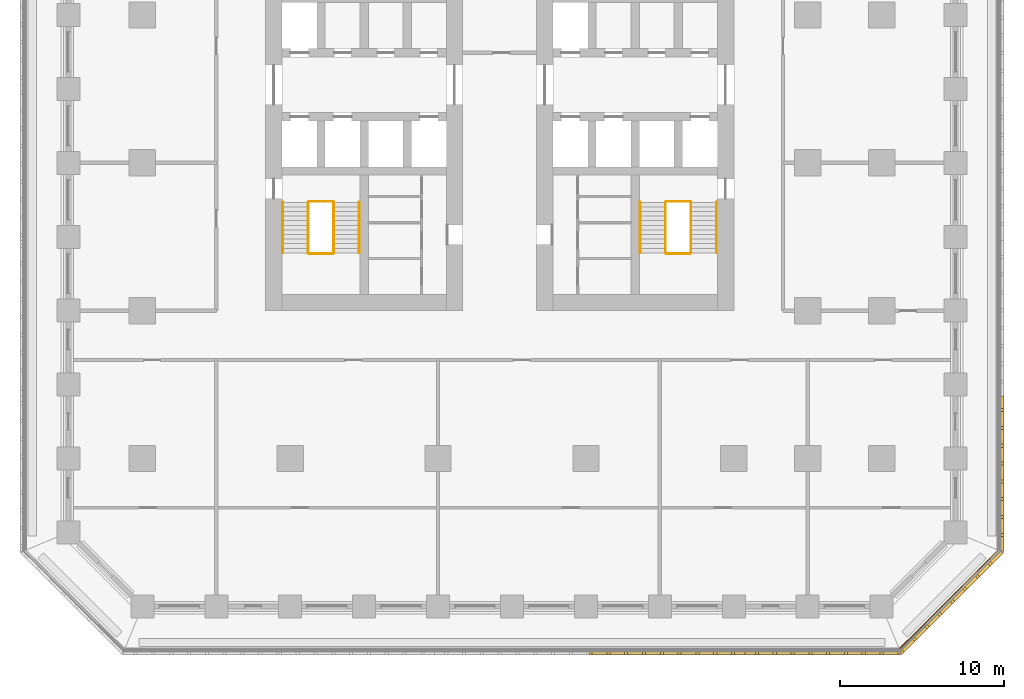
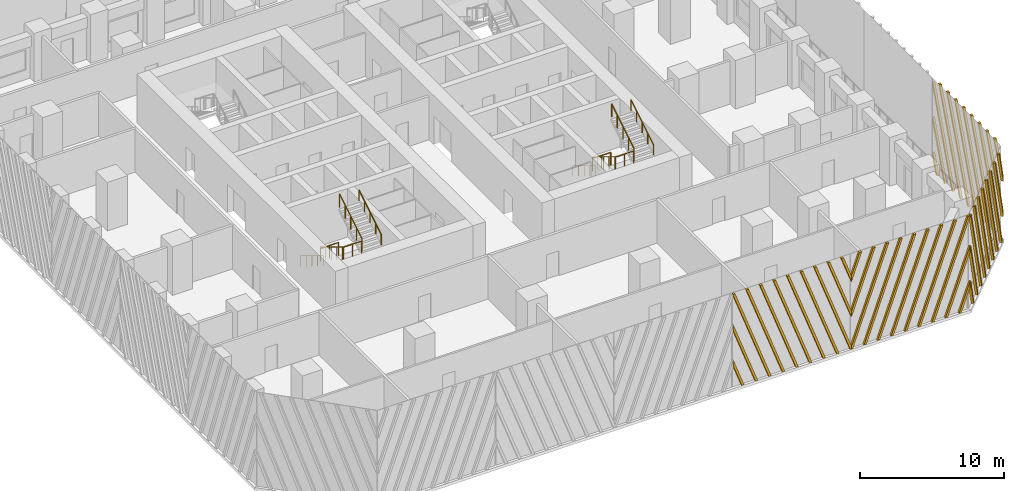
# One storey, part 10 of 14: 13 railings, 4 shading devices.
"""IFC4 building model written with IfcOpenShell, lengths in metres."""

from ifc_helpers import new_model, si_unit, direction, frame, origin, origin_2d, place, context, subcontext, project, spatial, polyline, circle, outline, extrude, source, transform, mapped, material, type_object, element, save


model = new_model("IFC4")

# Units and contexts
model_context = context("Model", 3, precision=1e-05, world=origin(), true_north=direction((0.0, 1.0)))
body_context = subcontext(model_context, "Body", "Model", "MODEL_VIEW")
ifc_project = project(units=[si_unit("LENGTHUNIT", "METRE"), si_unit("AREAUNIT", "SQUARE_METRE"), si_unit("VOLUMEUNIT", "CUBIC_METRE"), si_unit("PLANEANGLEUNIT", "RADIAN"), si_unit("MASSUNIT", "GRAM", prefix="KILO")], contexts=[model_context])

# Site, building, storey
site_placement = place(None, origin())
site = spatial("IfcSite", under=ifc_project, at=site_placement, CompositionType="ELEMENT")
building_placement = place(site_placement, origin())
building = spatial("IfcBuilding", under=site, at=building_placement, Name="Corbel Stack Research Tower", CompositionType="ELEMENT")
storey_placement = place(building_placement, frame((0.0, 0.0, 50.10009765625)))
storey = spatial("IfcBuildingStorey", under=building, at=storey_placement, Name="L11", CompositionType="ELEMENT", Elevation=50.10009765625)

# Railings
ifc_material_1 = material(Name="Steel S355", Category="steel")
railing_type_1 = type_object("IfcRailingType", Name="Stair guard 1100", PredefinedType="GUARDRAIL", material=ifc_material_1)
railing_1_placement = place(storey_placement, frame((-7.89990234375, -2.39990234375, 0.170654296875)))
element("IfcRailing", 1, at=railing_1_placement, inside=storey, type_object=railing_type_1, Name="L11 ST-W1 stair guard 1", PredefinedType="GUARDRAIL", context=body_context, shape_type="SweptSolid", body=[
    extrude(circle(Radius=0.02392578125, at=origin_2d()), frame((0.0, 0.0, 1.076171875), z_axis=(0.0, -0.853666305674, 0.52082035152), x_axis=(1.0, 0.0, 0.0)), (0.0, 0.0, 1.0), 3.608154296875),
    extrude(circle(Radius=0.02099609375, at=origin_2d()), origin(), (0.0, 0.0, 1.0), 1.052001953125),
    extrude(circle(Radius=0.02099609375, at=origin_2d()), frame((0.0, -0.77001953125, 0.4697265625)), (0.0, 0.0, 1.0), 1.052001953125),
    extrude(circle(Radius=0.02099609375, at=origin_2d()), frame((0.0, -1.5400390625, 0.939453125)), (0.0, 0.0, 1.0), 1.052001953125),
    extrude(circle(Radius=0.02099609375, at=origin_2d()), frame((0.0, -2.31005859375, 1.409423828125)), (0.0, 0.0, 1.0), 1.052001953125),
    extrude(circle(Radius=0.02099609375, at=origin_2d()), frame((0.0, -3.080078125, 1.879150390625)), (0.0, 0.0, 1.0), 1.052001953125),
])
railing_2_placement = place(storey_placement, frame((-7.85009765625, -5.530029296875, 2.0498046875)))
element("IfcRailing", 2, at=railing_2_placement, inside=storey, type_object=railing_type_1, Name="L11 ST-W1 stair guard 2", PredefinedType="GUARDRAIL", context=body_context, shape_type="SweptSolid", body=[
    extrude(circle(Radius=0.02392578125, at=origin_2d()), frame((0.0, 0.0, 1.076171875), z_axis=(1.0, 0.0, 0.0), x_axis=(0.0, 1.0, 0.0)), (0.0, 0.0, 1.0), 1.4501953125),
    extrude(circle(Radius=0.02099609375, at=origin_2d()), origin(), (0.0, 0.0, 1.0), 1.052001953125),
    extrude(circle(Radius=0.02099609375, at=origin_2d()), frame((0.72509765625, 0.0, 0.0)), (0.0, 0.0, 1.0), 1.052001953125),
    extrude(circle(Radius=0.02099609375, at=origin_2d()), frame((1.4501953125, 0.0, 0.0)), (0.0, 0.0, 1.0), 1.052001953125),
])
railing_3_placement = place(storey_placement, frame((-6.35009765625, -5.47998046875, 2.220703125)))
element("IfcRailing", 3, at=railing_3_placement, inside=storey, type_object=railing_type_1, Name="L11 ST-W1 stair guard 3", PredefinedType="GUARDRAIL", context=body_context, shape_type="SweptSolid", body=[
    extrude(circle(Radius=0.02392578125, at=origin_2d()), frame((0.0, 0.0, 1.076171875), z_axis=(0.0, 0.853666305674, 0.52082035152), x_axis=(-1.0, 0.0, 0.0)), (0.0, 0.0, 1.0), 3.608154296875),
    extrude(circle(Radius=0.02099609375, at=origin_2d()), origin(), (0.0, 0.0, 1.0), 1.052001953125),
    extrude(circle(Radius=0.02099609375, at=origin_2d()), frame((0.0, 0.77001953125, 0.4697265625)), (0.0, 0.0, 1.0), 1.052001953125),
    extrude(circle(Radius=0.02099609375, at=origin_2d()), frame((0.0, 1.5400390625, 0.939453125)), (0.0, 0.0, 1.0), 1.052001953125),
    extrude(circle(Radius=0.02099609375, at=origin_2d()), frame((0.0, 2.31005859375, 1.409423828125)), (0.0, 0.0, 1.0), 1.052001953125),
    extrude(circle(Radius=0.02099609375, at=origin_2d()), frame((0.0, 3.080078125, 1.879150390625)), (0.0, 0.0, 1.0), 1.052001953125),
])
railing_4_placement = place(storey_placement, frame((-7.85009765625, -2.35009765625, 0.0)))
element("IfcRailing", 4, at=railing_4_placement, inside=storey, type_object=railing_type_1, Name="L11 ST-W1 stair guard 4", PredefinedType="GUARDRAIL", context=body_context, shape_type="SweptSolid", body=[
    extrude(circle(Radius=0.02392578125, at=origin_2d()), frame((0.0, 0.0, 1.076171875), z_axis=(1.0, 0.0, 0.0), x_axis=(0.0, 1.0, 0.0)), (0.0, 0.0, 1.0), 1.4501953125),
    extrude(circle(Radius=0.02099609375, at=origin_2d()), origin(), (0.0, 0.0, 1.0), 1.052001953125),
    extrude(circle(Radius=0.02099609375, at=origin_2d()), frame((0.72509765625, 0.0, 0.0)), (0.0, 0.0, 1.0), 1.052001953125),
    extrude(circle(Radius=0.02099609375, at=origin_2d()), frame((1.4501953125, 0.0, 0.0)), (0.0, 0.0, 1.0), 1.052001953125),
])
railing_5_placement = place(storey_placement, frame((13.85009765625, -2.39990234375, 0.170654296875)))
element("IfcRailing", 5, at=railing_5_placement, inside=storey, type_object=railing_type_1, Name="L11 ST-E1 stair guard 1", PredefinedType="GUARDRAIL", context=body_context, shape_type="SweptSolid", body=[
    extrude(circle(Radius=0.02392578125, at=origin_2d()), frame((0.0, 0.0, 1.076171875), z_axis=(0.0, -0.853666305674, 0.52082035152), x_axis=(1.0, 0.0, 0.0)), (0.0, 0.0, 1.0), 3.608154296875),
    extrude(circle(Radius=0.02099609375, at=origin_2d()), origin(), (0.0, 0.0, 1.0), 1.052001953125),
    extrude(circle(Radius=0.02099609375, at=origin_2d()), frame((0.0, -0.77001953125, 0.4697265625)), (0.0, 0.0, 1.0), 1.052001953125),
    extrude(circle(Radius=0.02099609375, at=origin_2d()), frame((0.0, -1.5400390625, 0.939453125)), (0.0, 0.0, 1.0), 1.052001953125),
    extrude(circle(Radius=0.02099609375, at=origin_2d()), frame((0.0, -2.31005859375, 1.409423828125)), (0.0, 0.0, 1.0), 1.052001953125),
    extrude(circle(Radius=0.02099609375, at=origin_2d()), frame((0.0, -3.080078125, 1.879150390625)), (0.0, 0.0, 1.0), 1.052001953125),
])
railing_6_placement = place(storey_placement, frame((13.89990234375, -5.530029296875, 2.0498046875)))
element("IfcRailing", 6, at=railing_6_placement, inside=storey, type_object=railing_type_1, Name="L11 ST-E1 stair guard 2", PredefinedType="GUARDRAIL", context=body_context, shape_type="SweptSolid", body=[
    extrude(circle(Radius=0.02392578125, at=origin_2d()), frame((0.0, 0.0, 1.076171875), z_axis=(1.0, 0.0, 0.0), x_axis=(0.0, 1.0, 0.0)), (0.0, 0.0, 1.0), 1.4501953125),
    extrude(circle(Radius=0.02099609375, at=origin_2d()), origin(), (0.0, 0.0, 1.0), 1.052001953125),
    extrude(circle(Radius=0.02099609375, at=origin_2d()), frame((0.72509765625, 0.0, 0.0)), (0.0, 0.0, 1.0), 1.052001953125),
    extrude(circle(Radius=0.02099609375, at=origin_2d()), frame((1.4501953125, 0.0, 0.0)), (0.0, 0.0, 1.0), 1.052001953125),
])
railing_7_placement = place(storey_placement, frame((15.39990234375, -5.47998046875, 2.220703125)))
element("IfcRailing", 7, at=railing_7_placement, inside=storey, type_object=railing_type_1, Name="L11 ST-E1 stair guard 3", PredefinedType="GUARDRAIL", context=body_context, shape_type="SweptSolid", body=[
    extrude(circle(Radius=0.02392578125, at=origin_2d()), frame((0.0, 0.0, 1.076171875), z_axis=(0.0, 0.853666305674, 0.52082035152), x_axis=(-1.0, 0.0, 0.0)), (0.0, 0.0, 1.0), 3.608154296875),
    extrude(circle(Radius=0.02099609375, at=origin_2d()), origin(), (0.0, 0.0, 1.0), 1.052001953125),
    extrude(circle(Radius=0.02099609375, at=origin_2d()), frame((0.0, 0.77001953125, 0.4697265625)), (0.0, 0.0, 1.0), 1.052001953125),
    extrude(circle(Radius=0.02099609375, at=origin_2d()), frame((0.0, 1.5400390625, 0.939453125)), (0.0, 0.0, 1.0), 1.052001953125),
    extrude(circle(Radius=0.02099609375, at=origin_2d()), frame((0.0, 2.31005859375, 1.409423828125)), (0.0, 0.0, 1.0), 1.052001953125),
    extrude(circle(Radius=0.02099609375, at=origin_2d()), frame((0.0, 3.080078125, 1.879150390625)), (0.0, 0.0, 1.0), 1.052001953125),
])
railing_8_placement = place(storey_placement, frame((13.89990234375, -2.35009765625, 0.0)))
element("IfcRailing", 8, at=railing_8_placement, inside=storey, type_object=railing_type_1, Name="L11 ST-E1 stair guard 4", PredefinedType="GUARDRAIL", context=body_context, shape_type="SweptSolid", body=[
    extrude(circle(Radius=0.02392578125, at=origin_2d()), frame((0.0, 0.0, 1.076171875), z_axis=(1.0, 0.0, 0.0), x_axis=(0.0, 1.0, 0.0)), (0.0, 0.0, 1.0), 1.4501953125),
    extrude(circle(Radius=0.02099609375, at=origin_2d()), origin(), (0.0, 0.0, 1.0), 1.052001953125),
    extrude(circle(Radius=0.02099609375, at=origin_2d()), frame((0.72509765625, 0.0, 0.0)), (0.0, 0.0, 1.0), 1.052001953125),
    extrude(circle(Radius=0.02099609375, at=origin_2d()), frame((1.4501953125, 0.0, 0.0)), (0.0, 0.0, 1.0), 1.052001953125),
])
ifc_material_2 = material(Name="Steel S355", Category="steel")
railing_type_2 = type_object("IfcRailingType", Name="Stair handrail 900", PredefinedType="HANDRAIL", material=ifc_material_2)
railing_9_placement = place(storey_placement, frame((-9.449951171875, -2.39990234375, 0.170654296875)))
element("IfcRailing", 9, at=railing_9_placement, inside=storey, type_object=railing_type_2, Name="L11 ST-W1 stair handrail 1", PredefinedType="HANDRAIL", context=body_context, shape_type="SweptSolid", body=[
    extrude(circle(Radius=0.02392578125, at=origin_2d()), frame((0.0, 0.0, 0.8759765625), z_axis=(0.0, -0.853666305674, 0.52082035152), x_axis=(1.0, 0.0, 0.0)), (0.0, 0.0, 1.0), 3.608154296875),
    extrude(circle(Radius=0.02099609375, at=origin_2d()), origin(), (0.0, 0.0, 1.0), 0.851806640625),
    extrude(circle(Radius=0.02099609375, at=origin_2d()), frame((0.0, -0.77001953125, 0.4697265625)), (0.0, 0.0, 1.0), 0.851806640625),
    extrude(circle(Radius=0.02099609375, at=origin_2d()), frame((0.0, -1.5400390625, 0.939453125)), (0.0, 0.0, 1.0), 0.851806640625),
    extrude(circle(Radius=0.02099609375, at=origin_2d()), frame((0.0, -2.31005859375, 1.409423828125)), (0.0, 0.0, 1.0), 0.851806640625),
    extrude(circle(Radius=0.02099609375, at=origin_2d()), frame((0.0, -3.080078125, 1.879150390625)), (0.0, 0.0, 1.0), 0.851806640625),
])
railing_10_placement = place(storey_placement, frame((-4.800048828125, -5.47998046875, 2.220703125)))
element("IfcRailing", 10, at=railing_10_placement, inside=storey, type_object=railing_type_2, Name="L11 ST-W1 stair handrail 2", PredefinedType="HANDRAIL", context=body_context, shape_type="SweptSolid", body=[
    extrude(circle(Radius=0.02392578125, at=origin_2d()), frame((0.0, 0.0, 0.8759765625), z_axis=(0.0, 0.853666305674, 0.52082035152), x_axis=(-1.0, 0.0, 0.0)), (0.0, 0.0, 1.0), 3.608154296875),
    extrude(circle(Radius=0.02099609375, at=origin_2d()), origin(), (0.0, 0.0, 1.0), 0.851806640625),
    extrude(circle(Radius=0.02099609375, at=origin_2d()), frame((0.0, 0.77001953125, 0.4697265625)), (0.0, 0.0, 1.0), 0.851806640625),
    extrude(circle(Radius=0.02099609375, at=origin_2d()), frame((0.0, 1.5400390625, 0.939453125)), (0.0, 0.0, 1.0), 0.851806640625),
    extrude(circle(Radius=0.02099609375, at=origin_2d()), frame((0.0, 2.31005859375, 1.409423828125)), (0.0, 0.0, 1.0), 0.851806640625),
    extrude(circle(Radius=0.02099609375, at=origin_2d()), frame((0.0, 3.080078125, 1.879150390625)), (0.0, 0.0, 1.0), 0.851806640625),
])
railing_11_placement = place(storey_placement, frame((12.300048828125, -2.39990234375, 0.170654296875)))
element("IfcRailing", 11, at=railing_11_placement, inside=storey, type_object=railing_type_2, Name="L11 ST-E1 stair handrail 1", PredefinedType="HANDRAIL", context=body_context, shape_type="SweptSolid", body=[
    extrude(circle(Radius=0.02392578125, at=origin_2d()), frame((0.0, 0.0, 0.8759765625), z_axis=(0.0, -0.853666305674, 0.52082035152), x_axis=(1.0, 0.0, 0.0)), (0.0, 0.0, 1.0), 3.608154296875),
    extrude(circle(Radius=0.02099609375, at=origin_2d()), origin(), (0.0, 0.0, 1.0), 0.851806640625),
    extrude(circle(Radius=0.02099609375, at=origin_2d()), frame((0.0, -0.77001953125, 0.4697265625)), (0.0, 0.0, 1.0), 0.851806640625),
    extrude(circle(Radius=0.02099609375, at=origin_2d()), frame((0.0, -1.5400390625, 0.939453125)), (0.0, 0.0, 1.0), 0.851806640625),
    extrude(circle(Radius=0.02099609375, at=origin_2d()), frame((0.0, -2.31005859375, 1.409423828125)), (0.0, 0.0, 1.0), 0.851806640625),
    extrude(circle(Radius=0.02099609375, at=origin_2d()), frame((0.0, -3.080078125, 1.879150390625)), (0.0, 0.0, 1.0), 0.851806640625),
])
railing_12_placement = place(storey_placement, frame((16.949951171875, -5.47998046875, 2.220703125)))
element("IfcRailing", 12, at=railing_12_placement, inside=storey, type_object=railing_type_2, Name="L11 ST-E1 stair handrail 2", PredefinedType="HANDRAIL", context=body_context, shape_type="SweptSolid", body=[
    extrude(circle(Radius=0.02392578125, at=origin_2d()), frame((0.0, 0.0, 0.8759765625), z_axis=(0.0, 0.853666305674, 0.52082035152), x_axis=(-1.0, 0.0, 0.0)), (0.0, 0.0, 1.0), 3.608154296875),
    extrude(circle(Radius=0.02099609375, at=origin_2d()), origin(), (0.0, 0.0, 1.0), 0.851806640625),
    extrude(circle(Radius=0.02099609375, at=origin_2d()), frame((0.0, 0.77001953125, 0.4697265625)), (0.0, 0.0, 1.0), 0.851806640625),
    extrude(circle(Radius=0.02099609375, at=origin_2d()), frame((0.0, 1.5400390625, 0.939453125)), (0.0, 0.0, 1.0), 0.851806640625),
    extrude(circle(Radius=0.02099609375, at=origin_2d()), frame((0.0, 2.31005859375, 1.409423828125)), (0.0, 0.0, 1.0), 0.851806640625),
    extrude(circle(Radius=0.02099609375, at=origin_2d()), frame((0.0, 3.080078125, 1.879150390625)), (0.0, 0.0, 1.0), 0.851806640625),
])
ifc_material_3 = material(Name="Powder-coated steel guard", Category="steel")
railing_type_3 = type_object("IfcRailingType", Name="Steel and glass guard 1100", PredefinedType="GUARDRAIL", material=ifc_material_3)
railing_13_placement = place(storey_placement, frame((28.127685546875, -29.54931640625, 0.0)))
element("IfcRailing", 13, at=railing_13_placement, inside=storey, type_object=railing_type_3, Name="Loggia guard L11 SE", PredefinedType="GUARDRAIL", context=body_context, shape_type="SweptSolid", body=[
    extrude(circle(Radius=0.02392578125, at=origin_2d()), frame((0.0, 0.0, 1.076171875), z_axis=(0.707106781187, 0.707106781187, 0.0), x_axis=(-0.707106781187, 0.707106781187, 0.0)), (0.0, 0.0, 1.0), 8.37451171875),
    extrude(circle(Radius=0.02099609375, at=origin_2d()), origin(), (0.0, 0.0, 1.0), 1.052001953125),
    extrude(circle(Radius=0.02099609375, at=origin_2d()), frame((0.845947265625, 0.845947265625, 0.0)), (0.0, 0.0, 1.0), 1.052001953125),
    extrude(circle(Radius=0.02099609375, at=origin_2d()), frame((1.69189453125, 1.69189453125, 0.0)), (0.0, 0.0, 1.0), 1.052001953125),
    extrude(circle(Radius=0.02099609375, at=origin_2d()), frame((2.537841796875, 2.537841796875, 0.0)), (0.0, 0.0, 1.0), 1.052001953125),
    extrude(circle(Radius=0.02099609375, at=origin_2d()), frame((3.3837890625, 3.3837890625, 0.0)), (0.0, 0.0, 1.0), 1.052001953125),
    extrude(circle(Radius=0.02099609375, at=origin_2d()), frame((4.229736328125, 4.229736328125, 0.0)), (0.0, 0.0, 1.0), 1.052001953125),
    extrude(circle(Radius=0.02099609375, at=origin_2d()), frame((5.07568359375, 5.07568359375, 0.0)), (0.0, 0.0, 1.0), 1.052001953125),
    extrude(circle(Radius=0.02099609375, at=origin_2d()), frame((5.921630859375, 5.921630859375, 0.0)), (0.0, 0.0, 1.0), 1.052001953125),
])

# Shading devices
ifc_material_4 = material(Name="Precast terracotta", Category="masonry")
shading_device_type = type_object("IfcShadingDeviceType", Name="Terracotta screen panel", PredefinedType="USERDEFINED", material=ifc_material_4)
shared_shape_1 = source(origin(), body_context, "Body", "SweptSolid", [
    extrude(outline(polyline([(0.819091796875, 7.949951171875), (0.629150390625, 7.949951171875), (0.0, 6.22119140625), (0.0, 5.69921875), (0.819091796875, 7.949951171875)])), frame((0.0, 0.0, 0.0), z_axis=(0.0, -1.0, 0.0), x_axis=(1.0, 0.0, 0.0)), (0.0, 0.0, 1.0), 0.179931640625),
    extrude(outline(polyline([(1.90380859375, 7.949951171875), (1.7138671875, 7.949951171875), (0.0, 3.2412109375), (0.0, 2.718994140625), (1.90380859375, 7.949951171875)])), frame((0.0, 0.0, 0.0), z_axis=(0.0, -1.0, 0.0), x_axis=(1.0, 0.0, 0.0)), (0.0, 0.0, 1.0), 0.179931640625),
    extrude(outline(polyline([(0.094970703125, 0.0), (2.988525390625, 7.949951171875), (2.798583984375, 7.949951171875), (0.0, 0.260986328125), (0.0, 0.0), (0.094970703125, 0.0)])), frame((0.0, 0.0, 0.0), z_axis=(0.0, -1.0, 0.0), x_axis=(1.0, 0.0, 0.0)), (0.0, 0.0, 1.0), 0.179931640625),
    extrude(outline(polyline([(1.1796875, 0.0), (4.0732421875, 7.949951171875), (3.88330078125, 7.949951171875), (0.98974609375, 0.0), (1.1796875, 0.0)])), frame((0.0, 0.0, 0.0), z_axis=(0.0, -1.0, 0.0), x_axis=(1.0, 0.0, 0.0)), (0.0, 0.0, 1.0), 0.179931640625),
    extrude(outline(polyline([(2.264404296875, 0.0), (5.157958984375, 7.949951171875), (4.968017578125, 7.949951171875), (2.07421875, 0.0), (2.264404296875, 0.0)])), frame((0.0, 0.0, 0.0), z_axis=(0.0, -1.0, 0.0), x_axis=(1.0, 0.0, 0.0)), (0.0, 0.0, 1.0), 0.179931640625),
    extrude(outline(polyline([(3.34912109375, 0.0), (6.24267578125, 7.949951171875), (6.052490234375, 7.949951171875), (3.158935546875, 0.0), (3.34912109375, 0.0)])), frame((0.0, 0.0, 0.0), z_axis=(0.0, -1.0, 0.0), x_axis=(1.0, 0.0, 0.0)), (0.0, 0.0, 1.0), 0.179931640625),
    extrude(outline(polyline([(4.43359375, 0.0), (7.3271484375, 7.949951171875), (7.13720703125, 7.949951171875), (4.24365234375, 0.0), (4.43359375, 0.0)])), frame((0.0, 0.0, 0.0), z_axis=(0.0, -1.0, 0.0), x_axis=(1.0, 0.0, 0.0)), (0.0, 0.0, 1.0), 0.179931640625),
    extrude(outline(polyline([(5.518310546875, 0.0), (8.411865234375, 7.949951171875), (8.221923828125, 7.949951171875), (5.328369140625, 0.0), (5.518310546875, 0.0)])), frame((0.0, 0.0, 0.0), z_axis=(0.0, -1.0, 0.0), x_axis=(1.0, 0.0, 0.0)), (0.0, 0.0, 1.0), 0.179931640625),
    extrude(outline(polyline([(6.60302734375, 0.0), (9.45556640625, 7.837646484375), (9.45556640625, 7.949951171875), (9.306640625, 7.949951171875), (6.4130859375, 0.0), (6.60302734375, 0.0)])), frame((0.0, 0.0, 0.0), z_axis=(0.0, -1.0, 0.0), x_axis=(1.0, 0.0, 0.0)), (0.0, 0.0, 1.0), 0.179931640625),
    extrude(outline(polyline([(7.687744140625, 0.0), (9.45556640625, 4.857421875), (9.45556640625, 5.37939453125), (7.497802734375, 0.0), (7.687744140625, 0.0)])), frame((0.0, 0.0, 0.0), z_axis=(0.0, -1.0, 0.0), x_axis=(1.0, 0.0, 0.0)), (0.0, 0.0, 1.0), 0.179931640625),
    extrude(outline(polyline([(8.772216796875, 0.0), (9.45556640625, 1.87744140625), (9.45556640625, 2.3994140625), (8.582275390625, 0.0), (8.772216796875, 0.0)])), frame((0.0, 0.0, 0.0), z_axis=(0.0, -1.0, 0.0), x_axis=(1.0, 0.0, 0.0)), (0.0, 0.0, 1.0), 0.179931640625),
])
shading_device_1_placement = place(storey_placement, frame((18.68359375, -29.75, 0.0), z_axis=(0.0, 0.0, 1.0), x_axis=(1.0, 0.0, 0.0)))
element("IfcShadingDevice", 14, at=shading_device_1_placement, inside=storey, type_object=shading_device_type, Name="Terracotta screen L11 S5", ObjectType="SCREEN", PredefinedType="USERDEFINED", context=body_context, shape_type="MappedRepresentation", body=[
    mapped(shared_shape_1, transform((0.0, 0.0, 0.0))),
])
shared_shape_2 = source(origin(), body_context, "Body", "SweptSolid", [
    extrude(outline(polyline([(0.873291015625, 0.0), (0.0, 2.3994140625), (0.0, 1.87744140625), (0.683349609375, 0.0), (0.873291015625, 0.0)])), frame((0.0, 0.0, 0.0), z_axis=(0.0, -1.0, 0.0), x_axis=(1.0, 0.0, 0.0)), (0.0, 0.0, 1.0), 0.179931640625),
    extrude(outline(polyline([(1.9580078125, 0.0), (0.0, 5.37939453125), (0.0, 4.857421875), (1.76806640625, 0.0), (1.9580078125, 0.0)])), frame((0.0, 0.0, 0.0), z_axis=(0.0, -1.0, 0.0), x_axis=(1.0, 0.0, 0.0)), (0.0, 0.0, 1.0), 0.179931640625),
    extrude(outline(polyline([(3.04248046875, 0.0), (0.149169921875, 7.949951171875), (0.0, 7.949951171875), (0.0, 7.837646484375), (2.8525390625, 0.0), (3.04248046875, 0.0)])), frame((0.0, 0.0, 0.0), z_axis=(0.0, -1.0, 0.0), x_axis=(1.0, 0.0, 0.0)), (0.0, 0.0, 1.0), 0.179931640625),
    extrude(outline(polyline([(4.127197265625, 0.0), (1.233642578125, 7.949951171875), (1.043701171875, 7.949951171875), (3.937255859375, 0.0), (4.127197265625, 0.0)])), frame((0.0, 0.0, 0.0), z_axis=(0.0, -1.0, 0.0), x_axis=(1.0, 0.0, 0.0)), (0.0, 0.0, 1.0), 0.179931640625),
    extrude(outline(polyline([(5.2119140625, 0.0), (2.318359375, 7.949951171875), (2.12841796875, 7.949951171875), (5.02197265625, 0.0), (5.2119140625, 0.0)])), frame((0.0, 0.0, 0.0), z_axis=(0.0, -1.0, 0.0), x_axis=(1.0, 0.0, 0.0)), (0.0, 0.0, 1.0), 0.179931640625),
    extrude(outline(polyline([(6.296630859375, 0.0), (3.403076171875, 7.949951171875), (3.213134765625, 7.949951171875), (6.106689453125, 0.0), (6.296630859375, 0.0)])), frame((0.0, 0.0, 0.0), z_axis=(0.0, -1.0, 0.0), x_axis=(1.0, 0.0, 0.0)), (0.0, 0.0, 1.0), 0.179931640625),
    extrude(outline(polyline([(7.38134765625, 0.0), (4.48779296875, 7.949951171875), (4.297607421875, 7.949951171875), (7.19140625, 0.0), (7.38134765625, 0.0)])), frame((0.0, 0.0, 0.0), z_axis=(0.0, -1.0, 0.0), x_axis=(1.0, 0.0, 0.0)), (0.0, 0.0, 1.0), 0.179931640625),
    extrude(outline(polyline([(8.466064453125, 0.0), (5.572509765625, 7.949951171875), (5.38232421875, 7.949951171875), (8.27587890625, 0.0), (8.466064453125, 0.0)])), frame((0.0, 0.0, 0.0), z_axis=(0.0, -1.0, 0.0), x_axis=(1.0, 0.0, 0.0)), (0.0, 0.0, 1.0), 0.179931640625),
    extrude(outline(polyline([(9.45556640625, 0.0), (9.45556640625, 0.260986328125), (6.656982421875, 7.949951171875), (6.467041015625, 7.949951171875), (9.360595703125, 0.0), (9.45556640625, 0.0)])), frame((0.0, 0.0, 0.0), z_axis=(0.0, -1.0, 0.0), x_axis=(1.0, 0.0, 0.0)), (0.0, 0.0, 1.0), 0.179931640625),
    extrude(outline(polyline([(7.74169921875, 7.949951171875), (7.5517578125, 7.949951171875), (9.45556640625, 2.718994140625), (9.45556640625, 3.2412109375), (7.74169921875, 7.949951171875)])), frame((0.0, 0.0, 0.0), z_axis=(0.0, -1.0, 0.0), x_axis=(1.0, 0.0, 0.0)), (0.0, 0.0, 1.0), 0.179931640625),
    extrude(outline(polyline([(8.826416015625, 7.949951171875), (8.636474609375, 7.949951171875), (9.45556640625, 5.69921875), (9.45556640625, 6.22119140625), (8.826416015625, 7.949951171875)])), frame((0.0, 0.0, 0.0), z_axis=(0.0, -1.0, 0.0), x_axis=(1.0, 0.0, 0.0)), (0.0, 0.0, 1.0), 0.179931640625),
])
shading_device_2_placement = place(storey_placement, frame((9.227783203125, -29.75, 0.0), z_axis=(0.0, 0.0, 1.0), x_axis=(1.0, 0.0, 0.0)))
element("IfcShadingDevice", 15, at=shading_device_2_placement, inside=storey, type_object=shading_device_type, Name="Terracotta screen L11 S4", ObjectType="SCREEN", PredefinedType="USERDEFINED", context=body_context, shape_type="MappedRepresentation", body=[
    mapped(shared_shape_2, transform((0.0, 0.0, 0.0))),
])
shared_shape_3 = source(origin(), body_context, "Body", "SweptSolid", [
    extrude(outline(polyline([(1.09033203125, 7.949951171875), (0.900390625, 7.949951171875), (0.0, 5.476318359375), (0.0, 4.9541015625), (1.09033203125, 7.949951171875)])), frame((0.0, 0.0, 0.0), z_axis=(0.0, -1.0, 0.0), x_axis=(1.0, 0.0, 0.0)), (0.0, 0.0, 1.0), 0.179931640625),
    extrude(outline(polyline([(2.175048828125, 7.949951171875), (1.985107421875, 7.949951171875), (0.0, 2.49609375), (0.0, 1.97412109375), (2.175048828125, 7.949951171875)])), frame((0.0, 0.0, 0.0), z_axis=(0.0, -1.0, 0.0), x_axis=(1.0, 0.0, 0.0)), (0.0, 0.0, 1.0), 0.179931640625),
    extrude(outline(polyline([(0.3662109375, 0.0), (3.259765625, 7.949951171875), (3.069580078125, 7.949951171875), (0.17626953125, 0.0), (0.3662109375, 0.0)])), frame((0.0, 0.0, 0.0), z_axis=(0.0, -1.0, 0.0), x_axis=(1.0, 0.0, 0.0)), (0.0, 0.0, 1.0), 0.179931640625),
    extrude(outline(polyline([(1.45068359375, 0.0), (4.344482421875, 7.949951171875), (4.154296875, 7.949951171875), (1.2607421875, 0.0), (1.45068359375, 0.0)])), frame((0.0, 0.0, 0.0), z_axis=(0.0, -1.0, 0.0), x_axis=(1.0, 0.0, 0.0)), (0.0, 0.0, 1.0), 0.179931640625),
    extrude(outline(polyline([(2.535400390625, 0.0), (5.42919921875, 7.949951171875), (5.239013671875, 7.949951171875), (2.345458984375, 0.0), (2.535400390625, 0.0)])), frame((0.0, 0.0, 0.0), z_axis=(0.0, -1.0, 0.0), x_axis=(1.0, 0.0, 0.0)), (0.0, 0.0, 1.0), 0.179931640625),
    extrude(outline(polyline([(3.6201171875, 0.0), (6.513671875, 7.949951171875), (6.32373046875, 7.949951171875), (3.43017578125, 0.0), (3.6201171875, 0.0)])), frame((0.0, 0.0, 0.0), z_axis=(0.0, -1.0, 0.0), x_axis=(1.0, 0.0, 0.0)), (0.0, 0.0, 1.0), 0.179931640625),
    extrude(outline(polyline([(4.704833984375, 0.0), (7.598388671875, 7.949951171875), (7.408447265625, 7.949951171875), (4.514892578125, 0.0), (4.704833984375, 0.0)])), frame((0.0, 0.0, 0.0), z_axis=(0.0, -1.0, 0.0), x_axis=(1.0, 0.0, 0.0)), (0.0, 0.0, 1.0), 0.179931640625),
    extrude(outline(polyline([(5.78955078125, 0.0), (8.68310546875, 7.949951171875), (8.4931640625, 7.949951171875), (5.599609375, 0.0), (5.78955078125, 0.0)])), frame((0.0, 0.0, 0.0), z_axis=(0.0, -1.0, 0.0), x_axis=(1.0, 0.0, 0.0)), (0.0, 0.0, 1.0), 0.179931640625),
    extrude(outline(polyline([(6.874267578125, 0.0), (9.45556640625, 7.092529296875), (9.45556640625, 7.614501953125), (6.68408203125, 0.0), (6.874267578125, 0.0)])), frame((0.0, 0.0, 0.0), z_axis=(0.0, -1.0, 0.0), x_axis=(1.0, 0.0, 0.0)), (0.0, 0.0, 1.0), 0.179931640625),
    extrude(outline(polyline([(7.958740234375, 0.0), (9.45556640625, 4.1123046875), (9.45556640625, 4.634521484375), (7.768798828125, 0.0), (7.958740234375, 0.0)])), frame((0.0, 0.0, 0.0), z_axis=(0.0, -1.0, 0.0), x_axis=(1.0, 0.0, 0.0)), (0.0, 0.0, 1.0), 0.179931640625),
    extrude(outline(polyline([(9.04345703125, 0.0), (9.45556640625, 1.13232421875), (9.45556640625, 1.654296875), (8.853515625, 0.0), (9.04345703125, 0.0)])), frame((0.0, 0.0, 0.0), z_axis=(0.0, -1.0, 0.0), x_axis=(1.0, 0.0, 0.0)), (0.0, 0.0, 1.0), 0.179931640625),
])
shading_device_3_placement = place(storey_placement, frame((34.25, -23.63916015625, 0.0), z_axis=(0.0, 0.0, 1.0), x_axis=(0.0, 1.0, 0.0)))
element("IfcShadingDevice", 16, at=shading_device_3_placement, inside=storey, type_object=shading_device_type, Name="Terracotta screen L11 E1", ObjectType="SCREEN", PredefinedType="USERDEFINED", context=body_context, shape_type="MappedRepresentation", body=[
    mapped(shared_shape_3, transform((0.0, 0.0, 0.0))),
])
shared_shape_4 = source(origin(), body_context, "Body", "SweptSolid", [
    extrude(outline(polyline([(0.873291015625, 0.0), (0.0, 2.3994140625), (0.0, 1.87744140625), (0.683349609375, 0.0), (0.873291015625, 0.0)])), frame((0.0, 0.0, 0.0), z_axis=(0.0, -1.0, 0.0), x_axis=(1.0, 0.0, 0.0)), (0.0, 0.0, 1.0), 0.179931640625),
    extrude(outline(polyline([(1.9580078125, 0.0), (0.0, 5.37939453125), (0.0, 4.857421875), (1.76806640625, 0.0), (1.9580078125, 0.0)])), frame((0.0, 0.0, 0.0), z_axis=(0.0, -1.0, 0.0), x_axis=(1.0, 0.0, 0.0)), (0.0, 0.0, 1.0), 0.179931640625),
    extrude(outline(polyline([(3.04248046875, 0.0), (0.149169921875, 7.949951171875), (0.0, 7.949951171875), (0.0, 7.837646484375), (2.8525390625, 0.0), (3.04248046875, 0.0)])), frame((0.0, 0.0, 0.0), z_axis=(0.0, -1.0, 0.0), x_axis=(1.0, 0.0, 0.0)), (0.0, 0.0, 1.0), 0.179931640625),
    extrude(outline(polyline([(4.127197265625, 0.0), (1.233642578125, 7.949951171875), (1.043701171875, 7.949951171875), (3.937255859375, 0.0), (4.127197265625, 0.0)])), frame((0.0, 0.0, 0.0), z_axis=(0.0, -1.0, 0.0), x_axis=(1.0, 0.0, 0.0)), (0.0, 0.0, 1.0), 0.179931640625),
    extrude(outline(polyline([(5.2119140625, 0.0), (2.318359375, 7.949951171875), (2.12841796875, 7.949951171875), (5.02197265625, 0.0), (5.2119140625, 0.0)])), frame((0.0, 0.0, 0.0), z_axis=(0.0, -1.0, 0.0), x_axis=(1.0, 0.0, 0.0)), (0.0, 0.0, 1.0), 0.179931640625),
    extrude(outline(polyline([(6.296630859375, 0.0), (3.403076171875, 7.949951171875), (3.213134765625, 7.949951171875), (6.106689453125, 0.0), (6.296630859375, 0.0)])), frame((0.0, 0.0, 0.0), z_axis=(0.0, -1.0, 0.0), x_axis=(1.0, 0.0, 0.0)), (0.0, 0.0, 1.0), 0.179931640625),
    extrude(outline(polyline([(7.38134765625, 0.0), (4.48779296875, 7.949951171875), (4.297607421875, 7.949951171875), (7.19140625, 0.0), (7.38134765625, 0.0)])), frame((0.0, 0.0, 0.0), z_axis=(0.0, -1.0, 0.0), x_axis=(1.0, 0.0, 0.0)), (0.0, 0.0, 1.0), 0.179931640625),
    extrude(outline(polyline([(8.466064453125, 0.0), (5.572509765625, 7.949951171875), (5.38232421875, 7.949951171875), (8.27587890625, 0.0), (8.466064453125, 0.0)])), frame((0.0, 0.0, 0.0), z_axis=(0.0, -1.0, 0.0), x_axis=(1.0, 0.0, 0.0)), (0.0, 0.0, 1.0), 0.179931640625),
    extrude(outline(polyline([(6.656982421875, 7.949951171875), (6.467041015625, 7.949951171875), (8.64208984375, 1.97412109375), (8.64208984375, 2.49609375), (6.656982421875, 7.949951171875)])), frame((0.0, 0.0, 0.0), z_axis=(0.0, -1.0, 0.0), x_axis=(1.0, 0.0, 0.0)), (0.0, 0.0, 1.0), 0.179931640625),
    extrude(outline(polyline([(7.74169921875, 7.949951171875), (7.5517578125, 7.949951171875), (8.64208984375, 4.9541015625), (8.64208984375, 5.476318359375), (7.74169921875, 7.949951171875)])), frame((0.0, 0.0, 0.0), z_axis=(0.0, -1.0, 0.0), x_axis=(1.0, 0.0, 0.0)), (0.0, 0.0, 1.0), 0.179931640625),
])
shading_device_4_placement = place(storey_placement, frame((28.13916015625, -29.75, 0.0), z_axis=(0.0, 0.0, 1.0), x_axis=(0.707106781187, 0.707106781187, 0.0)))
element("IfcShadingDevice", 17, at=shading_device_4_placement, inside=storey, type_object=shading_device_type, Name="Terracotta screen L11 SE1", ObjectType="SCREEN", PredefinedType="USERDEFINED", context=body_context, shape_type="MappedRepresentation", body=[
    mapped(shared_shape_4, transform((0.0, 0.0, 0.0))),
])

save(model, "model.ifc")
